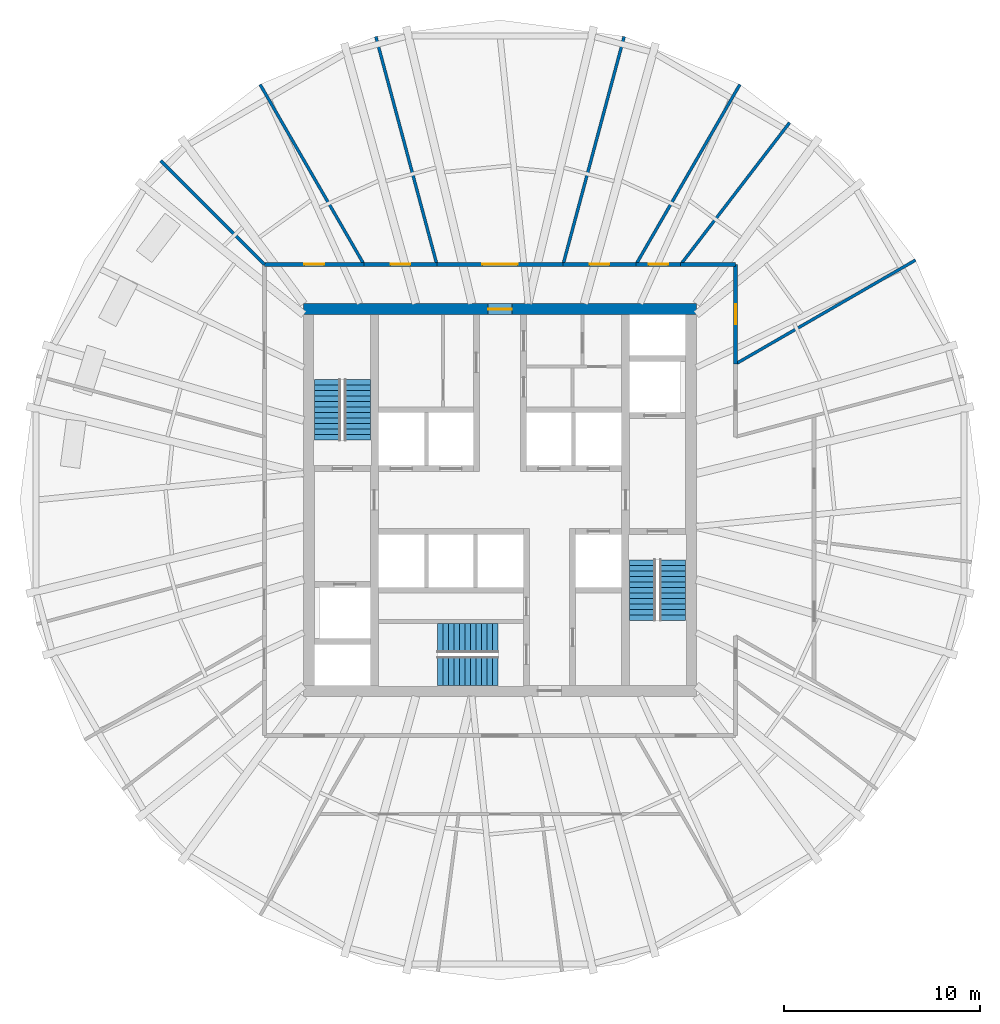
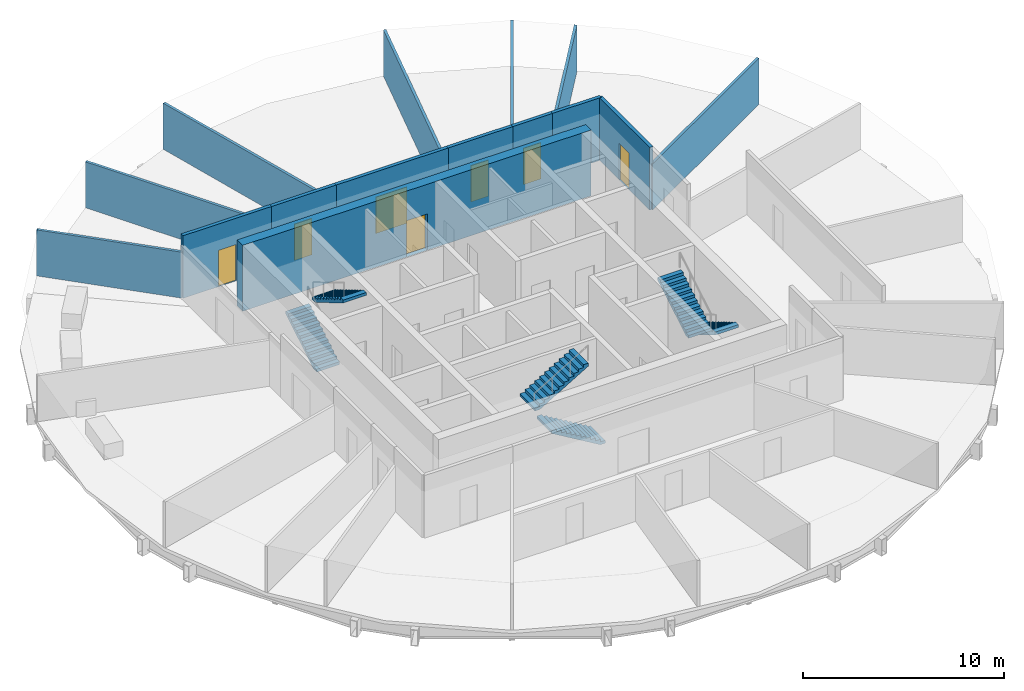
# One storey, part 5 of 7: 15 walls, 7 doors, 6 stair flights, 7 openings, 3 elements without a shape of their own.
"""IFC4 building model written with IfcOpenShell, lengths in metres."""

from ifc_helpers import new_model, si_unit, direction, frame, frame_2d, origin, place, context, subcontext, project, spatial, polyline, rectangle, outline, extrude, material, layer, layer_set, type_object, element, fill, aggregate, save


model = new_model("IFC4")

# Units and contexts
model_context = context("Model", 3, precision=1e-05, world=origin(), true_north=direction((0.0, 1.0)))
body_context = subcontext(model_context, "Body", "Model", "MODEL_VIEW")
ifc_project = project(units=[si_unit("LENGTHUNIT", "METRE"), si_unit("AREAUNIT", "SQUARE_METRE"), si_unit("VOLUMEUNIT", "CUBIC_METRE"), si_unit("PLANEANGLEUNIT", "RADIAN"), si_unit("MASSUNIT", "GRAM", prefix="KILO")], contexts=[model_context])

# Site, building, storey
site_placement = place(None, origin())
site = spatial("IfcSite", under=ifc_project, at=site_placement, CompositionType="ELEMENT")
building_placement = place(site_placement, origin())
building = spatial("IfcBuilding", under=site, at=building_placement, Name="Golbaran Civic Tower", CompositionType="ELEMENT")
storey_placement = place(building_placement, frame((0.0, 0.0, 130.0)))
storey = spatial("IfcBuildingStorey", under=building, at=storey_placement, Name="L31", CompositionType="ELEMENT", Elevation=130.0)

# Wall, opening, door
ifc_material_1 = material(Name="Concrete C50/60", Category="concrete")
ifc_layer_1 = layer(ifc_material_1, 0.550048828125, Name="Concrete C50/60")
ifc_layer_set_1 = layer_set([ifc_layer_1], Name="Concrete C50/60")
wall_type_1 = type_object("IfcWallType", Name="CORE WALL CONCRETE 550", PredefinedType="SOLIDWALL", material=ifc_layer_set_1)
wall_1_placement = place(storey_placement, frame((-10.0, 9.72509765625, 0.0), z_axis=(0.0, 0.0, 1.0), x_axis=(1.0, 0.0, 0.0)))
wall_1 = element("IfcWall", 1, at=wall_1_placement, inside=storey, type_object=wall_type_1, Name="Core wall CN L31", PredefinedType="SOLIDWALL", context=body_context, shape_type="SweptSolid", body=[
    extrude(rectangle(XDim=20.0, YDim=0.550048828125, at=frame_2d((10.0, 0.0))), origin(), (0.0, 0.0, 1.0), 4.0),
])
opening_1_placement = place(wall_1_placement, frame((9.39990234375, 0.0, 0.0)))
opening_1 = element("IfcOpeningElement", 2, at=opening_1_placement, cuts=wall_1, Name="Opening L31.CN", PredefinedType="OPENING", context=body_context, shape_type="SweptSolid", body=[
    extrude(rectangle(XDim=1.199951171875, YDim=2.199951171875, at=frame_2d((0.60009765625, 1.10009765625))), frame((0.0, 0.284912109375, 0.0), z_axis=(0.0, -1.0, 0.0), x_axis=(1.0, 0.0, 0.0)), (0.0, 0.0, 1.0), 0.570068359375),
])
ifc_material_2 = material(Name="Timber door set in steel frame", Category="steel")
door_type_1 = type_object("IfcDoorType", Name="CORE DOOR 1200x2200", OperationType="DOUBLE_DOOR_SINGLE_SWING", PredefinedType="DOOR", material=ifc_material_2)
door_1_placement = place(opening_1_placement, origin())
door_1 = element("IfcDoor", 3, at=door_1_placement, inside=storey, type_object=door_type_1, Name="Core door north", OperationType="DOUBLE_DOOR_SINGLE_SWING", OverallHeight=2.199951171875, OverallWidth=1.199951171875, PredefinedType="DOOR", context=body_context, shape_type="SweptSolid", body=[
    extrude(rectangle(XDim=1.199951171875, YDim=2.199951171875, at=frame_2d((0.60009765625, 1.10009765625))), frame((0.0, 0.02490234375, 0.0), z_axis=(0.0, -1.0, 0.0), x_axis=(1.0, 0.0, 0.0)), (0.0, 0.0, 1.0), 0.050048828125),
])
fill(opening_1, door_1)

ifc_material_3 = material(Name="Gypsum board on steel studs, fire-rated", Category="steel")
ifc_layer_2 = layer(ifc_material_3, 0.199951171875, Name="Gypsum board on steel studs, fire-rated")
ifc_layer_set_2 = layer_set([ifc_layer_2], Name="Gypsum board on steel studs, fire-rated")
wall_type_2 = type_object("IfcWallType", Name="CORRIDOR WALL 200", PredefinedType="PARTITIONING", material=ifc_layer_set_2)
wall_2_placement = place(storey_placement, frame((12.0, 6.92822265625, 0.0), z_axis=(0.0, 0.0, 1.0), x_axis=(0.0, 1.0, 0.0)))
wall_2 = element("IfcWall", 4, at=wall_2_placement, inside=storey, type_object=wall_type_2, Name="Corridor wall L31", PredefinedType="PARTITIONING", context=body_context, shape_type="SweptSolid", body=[
    extrude(rectangle(XDim=5.07177734375, YDim=0.199951171875, at=frame_2d((2.535888671875, 0.0))), origin(), (0.0, 0.0, 1.0), 3.800048828125),
])
opening_2_placement = place(wall_2_placement, frame((2.035888671875, 0.0, 0.0)))
opening_2 = element("IfcOpeningElement", 5, at=opening_2_placement, cuts=wall_2, Name="Opening L31.08", PredefinedType="OPENING", context=body_context, shape_type="SweptSolid", body=[
    extrude(rectangle(XDim=1.0, YDim=2.199951171875, at=frame_2d((0.5, 1.10009765625))), frame((0.0, 0.10986328125, 0.0), z_axis=(0.0, -1.0, 0.0), x_axis=(1.0, 0.0, 0.0)), (0.0, 0.0, 1.0), 0.219970703125),
])
door_type_2 = type_object("IfcDoorType", Name="OFFICE DOOR 1000x2200", OperationType="SINGLE_SWING_LEFT", PredefinedType="DOOR", material=ifc_material_2)
door_2_placement = place(opening_2_placement, origin())
door_2 = element("IfcDoor", 6, at=door_2_placement, inside=storey, type_object=door_type_2, Name="Pantry door L31", OperationType="SINGLE_SWING_LEFT", OverallHeight=2.199951171875, OverallWidth=1.0, PredefinedType="DOOR", context=body_context, shape_type="SweptSolid", body=[
    extrude(rectangle(XDim=1.0, YDim=2.199951171875, at=frame_2d((0.5, 1.10009765625))), frame((0.0, 0.02490234375, 0.0), z_axis=(0.0, -1.0, 0.0), x_axis=(1.0, 0.0, 0.0)), (0.0, 0.0, 1.0), 0.050048828125),
])
fill(opening_2, door_2)

# Wall
wall_3_placement = place(storey_placement, frame((12.0, 12.0, 0.0), z_axis=(0.0, 0.0, 1.0), x_axis=(-1.0, 0.0, 0.0)))
element("IfcWall", 7, at=wall_3_placement, inside=storey, type_object=wall_type_2, Name="Corridor wall L31", PredefinedType="PARTITIONING", context=body_context, shape_type="SweptSolid", body=[
    extrude(rectangle(XDim=2.7919921875, YDim=0.199951171875, at=frame_2d((1.39599609375, 0.0))), origin(), (0.0, 0.0, 1.0), 3.800048828125),
])

# Wall, opening, door
wall_4_placement = place(storey_placement, frame((9.2080078125, 12.0, 0.0), z_axis=(0.0, 0.0, 1.0), x_axis=(-1.0, 0.0, 0.0)))
wall_4 = element("IfcWall", 8, at=wall_4_placement, inside=storey, type_object=wall_type_2, Name="Corridor wall L31", PredefinedType="PARTITIONING", context=body_context, shape_type="SweptSolid", body=[
    extrude(rectangle(XDim=2.27978515625, YDim=0.199951171875, at=frame_2d((1.139892578125, 0.0))), origin(), (0.0, 0.0, 1.0), 3.800048828125),
])
opening_3_placement = place(wall_4_placement, frame((0.639892578125, 0.0, 0.0)))
opening_3 = element("IfcOpeningElement", 9, at=opening_3_placement, cuts=wall_4, Name="Opening L31.09", PredefinedType="OPENING", context=body_context, shape_type="SweptSolid", body=[
    extrude(rectangle(XDim=1.0, YDim=2.199951171875, at=frame_2d((0.5, 1.10009765625))), frame((0.0, 0.10986328125, 0.0), z_axis=(0.0, -1.0, 0.0), x_axis=(1.0, 0.0, 0.0)), (0.0, 0.0, 1.0), 0.219970703125),
])
door_3_placement = place(opening_3_placement, origin())
door_3 = element("IfcDoor", 10, at=door_3_placement, inside=storey, type_object=door_type_2, Name="Prayer Room door L31", OperationType="SINGLE_SWING_RIGHT", OverallHeight=2.199951171875, OverallWidth=1.0, PredefinedType="DOOR", context=body_context, shape_type="SweptSolid", body=[
    extrude(rectangle(XDim=1.0, YDim=2.199951171875, at=frame_2d((0.5, 1.10009765625))), frame((0.0, 0.02490234375, 0.0), z_axis=(0.0, -1.0, 0.0), x_axis=(1.0, 0.0, 0.0)), (0.0, 0.0, 1.0), 0.050048828125),
])
fill(opening_3, door_3)

wall_5_placement = place(storey_placement, frame((6.92822265625, 12.0, 0.0), z_axis=(0.0, 0.0, 1.0), x_axis=(-1.0, 0.0, 0.0)))
wall_5 = element("IfcWall", 11, at=wall_5_placement, inside=storey, type_object=wall_type_2, Name="Corridor wall L31", PredefinedType="PARTITIONING", context=body_context, shape_type="SweptSolid", body=[
    extrude(rectangle(XDim=3.712890625, YDim=0.199951171875, at=frame_2d((1.8564453125, 0.0))), origin(), (0.0, 0.0, 1.0), 3.800048828125),
])
opening_4_placement = place(wall_5_placement, frame((1.3564453125, 0.0, 0.0)))
opening_4 = element("IfcOpeningElement", 12, at=opening_4_placement, cuts=wall_5, Name="Opening L31.10", PredefinedType="OPENING", context=body_context, shape_type="SweptSolid", body=[
    extrude(rectangle(XDim=1.0, YDim=2.199951171875, at=frame_2d((0.5, 1.10009765625))), frame((0.0, 0.10986328125, 0.0), z_axis=(0.0, -1.0, 0.0), x_axis=(1.0, 0.0, 0.0)), (0.0, 0.0, 1.0), 0.219970703125),
])
door_4_placement = place(opening_4_placement, origin())
door_4 = element("IfcDoor", 13, at=door_4_placement, inside=storey, type_object=door_type_2, Name="Project Room door L31", OperationType="SINGLE_SWING_RIGHT", OverallHeight=2.199951171875, OverallWidth=1.0, PredefinedType="DOOR", context=body_context, shape_type="SweptSolid", body=[
    extrude(rectangle(XDim=1.0, YDim=2.199951171875, at=frame_2d((0.5, 1.10009765625))), frame((0.0, 0.02490234375, 0.0), z_axis=(0.0, -1.0, 0.0), x_axis=(1.0, 0.0, 0.0)), (0.0, 0.0, 1.0), 0.050048828125),
])
fill(opening_4, door_4)

wall_6_placement = place(storey_placement, frame((3.21533203125, 12.0, 0.0), z_axis=(0.0, 0.0, 1.0), x_axis=(-1.0, 0.0, 0.0)))
wall_6 = element("IfcWall", 14, at=wall_6_placement, inside=storey, type_object=wall_type_2, Name="Corridor wall L31", PredefinedType="PARTITIONING", context=body_context, shape_type="SweptSolid", body=[
    extrude(rectangle(XDim=6.4306640625, YDim=0.199951171875, at=frame_2d((3.21533203125, 0.0))), origin(), (0.0, 0.0, 1.0), 3.800048828125),
])
opening_5_placement = place(wall_6_placement, frame((2.3154296875, 0.0, 0.0)))
opening_5 = element("IfcOpeningElement", 15, at=opening_5_placement, cuts=wall_6, Name="Opening L31.11", PredefinedType="OPENING", context=body_context, shape_type="SweptSolid", body=[
    extrude(rectangle(XDim=1.800048828125, YDim=2.199951171875, at=frame_2d((0.89990234375, 1.10009765625))), frame((0.0, 0.10986328125, 0.0), z_axis=(0.0, -1.0, 0.0), x_axis=(1.0, 0.0, 0.0)), (0.0, 0.0, 1.0), 0.219970703125),
])
door_type_3 = type_object("IfcDoorType", Name="OFFICE DOUBLE DOOR 1800x2200", OperationType="DOUBLE_DOOR_SINGLE_SWING", PredefinedType="DOOR", material=ifc_material_2)
door_5_placement = place(opening_5_placement, origin())
door_5 = element("IfcDoor", 16, at=door_5_placement, inside=storey, type_object=door_type_3, Name="Open Office door L31", OperationType="DOUBLE_DOOR_SINGLE_SWING", OverallHeight=2.199951171875, OverallWidth=1.800048828125, PredefinedType="DOOR", context=body_context, shape_type="SweptSolid", body=[
    extrude(rectangle(XDim=1.800048828125, YDim=2.199951171875, at=frame_2d((0.89990234375, 1.10009765625))), frame((0.0, 0.02490234375, 0.0), z_axis=(0.0, -1.0, 0.0), x_axis=(1.0, 0.0, 0.0)), (0.0, 0.0, 1.0), 0.050048828125),
])
fill(opening_5, door_5)

wall_7_placement = place(storey_placement, frame((-3.21533203125, 12.0, 0.0), z_axis=(0.0, 0.0, 1.0), x_axis=(-1.0, 0.0, 0.0)))
wall_7 = element("IfcWall", 17, at=wall_7_placement, inside=storey, type_object=wall_type_2, Name="Corridor wall L31", PredefinedType="PARTITIONING", context=body_context, shape_type="SweptSolid", body=[
    extrude(rectangle(XDim=3.712890625, YDim=0.199951171875, at=frame_2d((1.8564453125, 0.0))), origin(), (0.0, 0.0, 1.0), 3.800048828125),
])
opening_6_placement = place(wall_7_placement, frame((1.3564453125, 0.0, 0.0)))
opening_6 = element("IfcOpeningElement", 18, at=opening_6_placement, cuts=wall_7, Name="Opening L31.12", PredefinedType="OPENING", context=body_context, shape_type="SweptSolid", body=[
    extrude(rectangle(XDim=1.0, YDim=2.199951171875, at=frame_2d((0.5, 1.10009765625))), frame((0.0, 0.10986328125, 0.0), z_axis=(0.0, -1.0, 0.0), x_axis=(1.0, 0.0, 0.0)), (0.0, 0.0, 1.0), 0.219970703125),
])
door_6_placement = place(opening_6_placement, origin())
door_6 = element("IfcDoor", 19, at=door_6_placement, inside=storey, type_object=door_type_2, Name="Meeting Room door L31", OperationType="SINGLE_SWING_RIGHT", OverallHeight=2.199951171875, OverallWidth=1.0, PredefinedType="DOOR", context=body_context, shape_type="SweptSolid", body=[
    extrude(rectangle(XDim=1.0, YDim=2.199951171875, at=frame_2d((0.5, 1.10009765625))), frame((0.0, 0.02490234375, 0.0), z_axis=(0.0, -1.0, 0.0), x_axis=(1.0, 0.0, 0.0)), (0.0, 0.0, 1.0), 0.050048828125),
])
fill(opening_6, door_6)

wall_8_placement = place(storey_placement, frame((-6.92822265625, 12.0, 0.0), z_axis=(0.0, 0.0, 1.0), x_axis=(-1.0, 0.0, 0.0)))
wall_8 = element("IfcWall", 20, at=wall_8_placement, inside=storey, type_object=wall_type_2, Name="Corridor wall L31", PredefinedType="PARTITIONING", context=body_context, shape_type="SweptSolid", body=[
    extrude(rectangle(XDim=5.07177734375, YDim=0.199951171875, at=frame_2d((2.535888671875, 0.0))), origin(), (0.0, 0.0, 1.0), 3.800048828125),
])
opening_7_placement = place(wall_8_placement, frame((2.035888671875, 0.0, 0.0)))
opening_7 = element("IfcOpeningElement", 21, at=opening_7_placement, cuts=wall_8, Name="Opening L31.13", PredefinedType="OPENING", context=body_context, shape_type="SweptSolid", body=[
    extrude(rectangle(XDim=1.0, YDim=2.199951171875, at=frame_2d((0.5, 1.10009765625))), frame((0.0, 0.10986328125, 0.0), z_axis=(0.0, -1.0, 0.0), x_axis=(1.0, 0.0, 0.0)), (0.0, 0.0, 1.0), 0.219970703125),
])
door_7_placement = place(opening_7_placement, origin())
door_7 = element("IfcDoor", 22, at=door_7_placement, inside=storey, type_object=door_type_2, Name="Prayer Room door L31", OperationType="SINGLE_SWING_RIGHT", OverallHeight=2.199951171875, OverallWidth=1.0, PredefinedType="DOOR", context=body_context, shape_type="SweptSolid", body=[
    extrude(rectangle(XDim=1.0, YDim=2.199951171875, at=frame_2d((0.5, 1.10009765625))), frame((0.0, 0.02490234375, 0.0), z_axis=(0.0, -1.0, 0.0), x_axis=(1.0, 0.0, 0.0)), (0.0, 0.0, 1.0), 0.050048828125),
])
fill(opening_7, door_7)

# Walls
ifc_material_4 = material(Name="Gypsum board on steel studs", Category="steel")
ifc_layer_3 = layer(ifc_material_4, 0.14990234375, Name="Gypsum board on steel studs")
ifc_layer_set_3 = layer_set([ifc_layer_3], Name="Gypsum board on steel studs")
wall_type_3 = type_object("IfcWallType", Name="OFFICE PARTITION 150", PredefinedType="PARTITIONING", material=ifc_layer_set_3)
wall_9_placement = place(storey_placement, frame((12.0, 6.92822265625, 0.0), z_axis=(0.0, 0.0, 1.0), x_axis=(0.866023526577, 0.500003251404, 0.0)))
element("IfcWall", 23, at=wall_9_placement, inside=storey, type_object=wall_type_3, Name="Partition 30 L31", PredefinedType="PARTITIONING", context=body_context, shape_type="SweptSolid", body=[
    extrude(rectangle(XDim=10.5869140625, YDim=0.14990234375, at=frame_2d((5.29345703125, 0.0))), origin(), (0.0, 0.0, 1.0), 2.7900390625),
])
wall_10_placement = place(storey_placement, frame((9.2080078125, 12.0, 0.0), z_axis=(0.0, 0.0, 1.0), x_axis=(0.608742676865, 0.793367728965, 0.0)))
element("IfcWall", 24, at=wall_10_placement, inside=storey, type_object=wall_type_3, Name="Partition 52.5 L31", PredefinedType="PARTITIONING", context=body_context, shape_type="SweptSolid", body=[
    extrude(rectangle(XDim=9.1083984375, YDim=0.14990234375, at=frame_2d((4.55419921875, 0.0))), origin(), (0.0, 0.0, 1.0), 2.7900390625),
])
wall_11_placement = place(storey_placement, frame((6.92822265625, 12.0, 0.0), z_axis=(0.0, 0.0, 1.0), x_axis=(0.500003251404, 0.866023526577, 0.0)))
element("IfcWall", 25, at=wall_11_placement, inside=storey, type_object=wall_type_3, Name="Partition 60 L31", PredefinedType="PARTITIONING", context=body_context, shape_type="SweptSolid", body=[
    extrude(rectangle(XDim=10.5869140625, YDim=0.14990234375, at=frame_2d((5.29345703125, 0.0))), origin(), (0.0, 0.0, 1.0), 2.7900390625),
])
for number, where, z_axis, x_axis, name in (
    (26, (3.21533203125, 12.0, 0.0), (0.0, 0.0, 1.0), (0.258826780857, 0.965923753467, 0.0), "Partition 75 L31"),
    (27, (-3.21533203125, 12.0, 0.0), (0.0, 0.0, 1.0), (-0.258826780857, 0.965923753467, 0.0), "Partition 105 L31"),
):
    element("IfcWall", number, at=place(storey_placement, frame(where, z_axis=z_axis, x_axis=x_axis)), inside=storey, type_object=wall_type_3, Name=name, PredefinedType="PARTITIONING", context=body_context, shape_type="SweptSolid", body=[
        extrude(rectangle(XDim=12.02001953125, YDim=0.14990234375, at=frame_2d((6.010009765625, 0.0))), origin(), (0.0, 0.0, 1.0), 2.7900390625),
    ])
wall_12_placement = place(storey_placement, frame((-6.92822265625, 12.0, 0.0), z_axis=(0.0, 0.0, 1.0), x_axis=(-0.500003251404, 0.866023526577, 0.0)))
element("IfcWall", 28, at=wall_12_placement, inside=storey, type_object=wall_type_3, Name="Partition 120 L31", PredefinedType="PARTITIONING", context=body_context, shape_type="SweptSolid", body=[
    extrude(rectangle(XDim=10.5869140625, YDim=0.14990234375, at=frame_2d((5.29345703125, 0.0))), origin(), (0.0, 0.0, 1.0), 2.7900390625),
])
wall_13_placement = place(storey_placement, frame((-12.0, 12.0, 0.0), z_axis=(0.0, 0.0, 1.0), x_axis=(-0.707106781187, 0.707106781187, 0.0)))
element("IfcWall", 29, at=wall_13_placement, inside=storey, type_object=wall_type_3, Name="Partition 135 L31", PredefinedType="PARTITIONING", context=body_context, shape_type="SweptSolid", body=[
    extrude(rectangle(XDim=7.47265625, YDim=0.14990234375, at=frame_2d((3.736328125, 0.0))), origin(), (0.0, 0.0, 1.0), 2.7900390625),
])

# Stair, stair flights
ifc_material_5 = material(Name="Concrete C35/45", Category="concrete")
stair_type_1 = type_object("IfcStairType", Name="EXIT STAIR 2850 x 7700, 4000 RISE", PredefinedType="HALF_TURN_STAIR", material=ifc_material_5)
stair_1_placement = place(storey_placement, origin())
stair_1 = element("IfcStair", 30, at=stair_1_placement, inside=storey, type_object=stair_type_1, Name="Stair S1 L31", PredefinedType="HALF_TURN_STAIR")
stair_flight_type_1 = type_object("IfcStairFlightType", Name="STAIR FLIGHT 1325 WIDE", PredefinedType="STRAIGHT", material=ifc_material_5)
stair_flight_1_placement = place(storey_placement, frame((-8.78759765625, 3.050048828125, 0.0), z_axis=(0.0, 0.0, 1.0), x_axis=(0.0, 1.0, 0.0)))
stair_flight_1 = element("IfcStairFlight", 31, at=stair_flight_1_placement, type_object=stair_flight_type_1, Name="ST28577-40 flight 1", NumberOfRisers=12, NumberOfTreads=11, PredefinedType="STRAIGHT", RiserHeight=0.166666667, TreadLength=0.28, context=body_context, shape_type="SweptSolid", body=[
    extrude(outline(polyline([(0.0, 0.0), (0.0, 0.166748046875), (0.280029296875, 0.166748046875), (0.280029296875, 0.333251953125), (0.56005859375, 0.333251953125), (0.56005859375, 0.5), (0.840087890625, 0.5), (0.840087890625, 0.666748046875), (1.1201171875, 0.666748046875), (1.1201171875, 0.833251953125), (1.39990234375, 0.833251953125), (1.39990234375, 1.0), (1.679931640625, 1.0), (1.679931640625, 1.166748046875), (1.9599609375, 1.166748046875), (1.9599609375, 1.333251953125), (2.239990234375, 1.333251953125), (2.239990234375, 1.5), (2.52001953125, 1.5), (2.52001953125, 1.666748046875), (2.800048828125, 1.666748046875), (2.800048828125, 1.833251953125), (3.080078125, 1.833251953125), (3.080078125, 2.0), (3.080078125, 1.658935546875), (0.29296875, 0.0), (0.0, 0.0)])), frame((0.0, 0.66259765625, 0.0), z_axis=(0.0, -1.0, 0.0), x_axis=(1.0, 0.0, 0.0)), (0.0, 0.0, 1.0), 1.324951171875),
])
stair_flight_2_placement = place(storey_placement, frame((-7.262451171875, 6.1298828125, 2.0), z_axis=(0.0, 0.0, 1.0), x_axis=(0.0, -1.0, 0.0)))
stair_flight_2 = element("IfcStairFlight", 32, at=stair_flight_2_placement, type_object=stair_flight_type_1, Name="ST28577-40 flight 2", NumberOfRisers=12, NumberOfTreads=11, PredefinedType="STRAIGHT", RiserHeight=0.166666667, TreadLength=0.28, context=body_context, shape_type="SweptSolid", body=[
    extrude(outline(polyline([(0.0, 0.0), (0.0, 0.166748046875), (0.280029296875, 0.166748046875), (0.280029296875, 0.333251953125), (0.56005859375, 0.333251953125), (0.56005859375, 0.5), (0.840087890625, 0.5), (0.840087890625, 0.666748046875), (1.1201171875, 0.666748046875), (1.1201171875, 0.833251953125), (1.39990234375, 0.833251953125), (1.39990234375, 1.0), (1.679931640625, 1.0), (1.679931640625, 1.166748046875), (1.9599609375, 1.166748046875), (1.9599609375, 1.333251953125), (2.239990234375, 1.333251953125), (2.239990234375, 1.5), (2.52001953125, 1.5), (2.52001953125, 1.666748046875), (2.800048828125, 1.666748046875), (2.800048828125, 1.833251953125), (3.080078125, 1.833251953125), (3.080078125, 2.0), (3.080078125, 1.658935546875), (0.29296875, 0.0), (0.0, 0.0)])), frame((0.0, 0.66259765625, 0.0), z_axis=(0.0, -1.0, 0.0), x_axis=(1.0, 0.0, 0.0)), (0.0, 0.0, 1.0), 1.324951171875),
])
aggregate(stair_1, [stair_flight_1, stair_flight_2])

stair_2_placement = place(storey_placement, origin())
stair_2 = element("IfcStair", 33, at=stair_2_placement, inside=storey, type_object=stair_type_1, Name="Stair S2 L31", PredefinedType="HALF_TURN_STAIR")
stair_flight_3_placement = place(storey_placement, frame((8.78759765625, -3.050048828125, 0.0), z_axis=(0.0, 0.0, 1.0), x_axis=(0.0, -1.0, 0.0)))
stair_flight_3 = element("IfcStairFlight", 34, at=stair_flight_3_placement, type_object=stair_flight_type_1, Name="ST28577-40 flight 1", NumberOfRisers=12, NumberOfTreads=11, PredefinedType="STRAIGHT", RiserHeight=0.166666667, TreadLength=0.28, context=body_context, shape_type="SweptSolid", body=[
    extrude(outline(polyline([(0.0, 0.0), (0.0, 0.166748046875), (0.280029296875, 0.166748046875), (0.280029296875, 0.333251953125), (0.56005859375, 0.333251953125), (0.56005859375, 0.5), (0.840087890625, 0.5), (0.840087890625, 0.666748046875), (1.1201171875, 0.666748046875), (1.1201171875, 0.833251953125), (1.39990234375, 0.833251953125), (1.39990234375, 1.0), (1.679931640625, 1.0), (1.679931640625, 1.166748046875), (1.9599609375, 1.166748046875), (1.9599609375, 1.333251953125), (2.239990234375, 1.333251953125), (2.239990234375, 1.5), (2.52001953125, 1.5), (2.52001953125, 1.666748046875), (2.800048828125, 1.666748046875), (2.800048828125, 1.833251953125), (3.080078125, 1.833251953125), (3.080078125, 2.0), (3.080078125, 1.658935546875), (0.29296875, 0.0), (0.0, 0.0)])), frame((0.0, 0.66259765625, 0.0), z_axis=(0.0, -1.0, 0.0), x_axis=(1.0, 0.0, 0.0)), (0.0, 0.0, 1.0), 1.324951171875),
])
stair_flight_4_placement = place(storey_placement, frame((7.262451171875, -6.1298828125, 2.0), z_axis=(0.0, 0.0, 1.0), x_axis=(0.0, 1.0, 0.0)))
stair_flight_4 = element("IfcStairFlight", 35, at=stair_flight_4_placement, type_object=stair_flight_type_1, Name="ST28577-40 flight 2", NumberOfRisers=12, NumberOfTreads=11, PredefinedType="STRAIGHT", RiserHeight=0.166666667, TreadLength=0.28, context=body_context, shape_type="SweptSolid", body=[
    extrude(outline(polyline([(0.0, 0.0), (0.0, 0.166748046875), (0.280029296875, 0.166748046875), (0.280029296875, 0.333251953125), (0.56005859375, 0.333251953125), (0.56005859375, 0.5), (0.840087890625, 0.5), (0.840087890625, 0.666748046875), (1.1201171875, 0.666748046875), (1.1201171875, 0.833251953125), (1.39990234375, 0.833251953125), (1.39990234375, 1.0), (1.679931640625, 1.0), (1.679931640625, 1.166748046875), (1.9599609375, 1.166748046875), (1.9599609375, 1.333251953125), (2.239990234375, 1.333251953125), (2.239990234375, 1.5), (2.52001953125, 1.5), (2.52001953125, 1.666748046875), (2.800048828125, 1.666748046875), (2.800048828125, 1.833251953125), (3.080078125, 1.833251953125), (3.080078125, 2.0), (3.080078125, 1.658935546875), (0.29296875, 0.0), (0.0, 0.0)])), frame((0.0, 0.66259765625, 0.0), z_axis=(0.0, -1.0, 0.0), x_axis=(1.0, 0.0, 0.0)), (0.0, 0.0, 1.0), 1.324951171875),
])
aggregate(stair_2, [stair_flight_3, stair_flight_4])

stair_type_2 = type_object("IfcStairType", Name="EXIT STAIR 3150 x 7400, 4000 RISE", PredefinedType="HALF_TURN_STAIR", material=ifc_material_5)
stair_3_placement = place(storey_placement, origin())
stair_3 = element("IfcStair", 36, at=stair_3_placement, inside=storey, type_object=stair_type_2, Name="Stair S3 L31", PredefinedType="HALF_TURN_STAIR")
stair_flight_type_2 = type_object("IfcStairFlightType", Name="STAIR FLIGHT 1475 WIDE", PredefinedType="STRAIGHT", material=ifc_material_5)
stair_flight_5_placement = place(storey_placement, frame((-0.10009765625, -8.71240234375, 0.0), z_axis=(0.0, 0.0, 1.0), x_axis=(-1.0, 0.0, 0.0)))
stair_flight_5 = element("IfcStairFlight", 37, at=stair_flight_5_placement, type_object=stair_flight_type_2, Name="ST31574-40 flight 1", NumberOfRisers=12, NumberOfTreads=11, PredefinedType="STRAIGHT", RiserHeight=0.166666667, TreadLength=0.28, context=body_context, shape_type="SweptSolid", body=[
    extrude(outline(polyline([(0.0, 0.0), (0.0, 0.166748046875), (0.280029296875, 0.166748046875), (0.280029296875, 0.333251953125), (0.56005859375, 0.333251953125), (0.56005859375, 0.5), (0.840087890625, 0.5), (0.840087890625, 0.666748046875), (1.1201171875, 0.666748046875), (1.1201171875, 0.833251953125), (1.39990234375, 0.833251953125), (1.39990234375, 1.0), (1.679931640625, 1.0), (1.679931640625, 1.166748046875), (1.9599609375, 1.166748046875), (1.9599609375, 1.333251953125), (2.239990234375, 1.333251953125), (2.239990234375, 1.5), (2.52001953125, 1.5), (2.52001953125, 1.666748046875), (2.800048828125, 1.666748046875), (2.800048828125, 1.833251953125), (3.080078125, 1.833251953125), (3.080078125, 2.0), (3.080078125, 1.658935546875), (0.29296875, 0.0), (0.0, 0.0)])), frame((0.0, 0.737548828125, 0.0), z_axis=(0.0, -1.0, 0.0), x_axis=(1.0, 0.0, 0.0)), (0.0, 0.0, 1.0), 1.47509765625),
])
stair_flight_6_placement = place(storey_placement, frame((-3.179931640625, -7.03759765625, 2.0), z_axis=(0.0, 0.0, 1.0), x_axis=(1.0, 0.0, 0.0)))
stair_flight_6 = element("IfcStairFlight", 38, at=stair_flight_6_placement, type_object=stair_flight_type_2, Name="ST31574-40 flight 2", NumberOfRisers=12, NumberOfTreads=11, PredefinedType="STRAIGHT", RiserHeight=0.166666667, TreadLength=0.28, context=body_context, shape_type="SweptSolid", body=[
    extrude(outline(polyline([(0.0, 0.0), (0.0, 0.166748046875), (0.280029296875, 0.166748046875), (0.280029296875, 0.333251953125), (0.56005859375, 0.333251953125), (0.56005859375, 0.5), (0.840087890625, 0.5), (0.840087890625, 0.666748046875), (1.1201171875, 0.666748046875), (1.1201171875, 0.833251953125), (1.39990234375, 0.833251953125), (1.39990234375, 1.0), (1.679931640625, 1.0), (1.679931640625, 1.166748046875), (1.9599609375, 1.166748046875), (1.9599609375, 1.333251953125), (2.239990234375, 1.333251953125), (2.239990234375, 1.5), (2.52001953125, 1.5), (2.52001953125, 1.666748046875), (2.800048828125, 1.666748046875), (2.800048828125, 1.833251953125), (3.080078125, 1.833251953125), (3.080078125, 2.0), (3.080078125, 1.658935546875), (0.29296875, 0.0), (0.0, 0.0)])), frame((0.0, 0.737548828125, 0.0), z_axis=(0.0, -1.0, 0.0), x_axis=(1.0, 0.0, 0.0)), (0.0, 0.0, 1.0), 1.47509765625),
])
aggregate(stair_3, [stair_flight_5, stair_flight_6])

save(model, "model.ifc")
